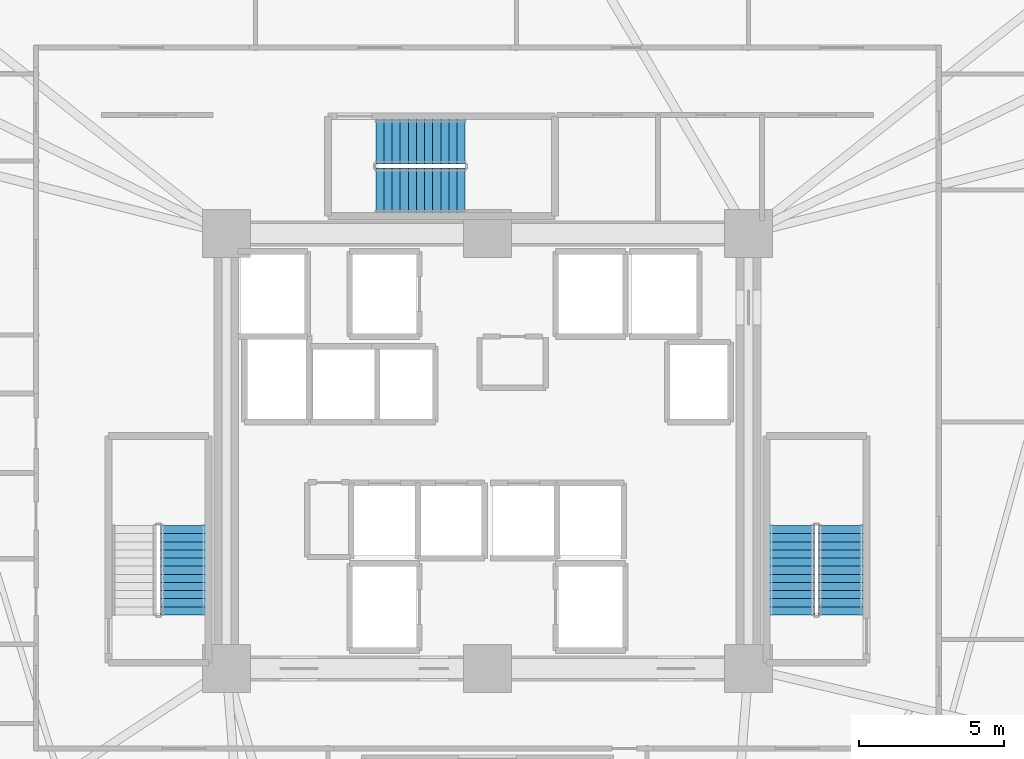
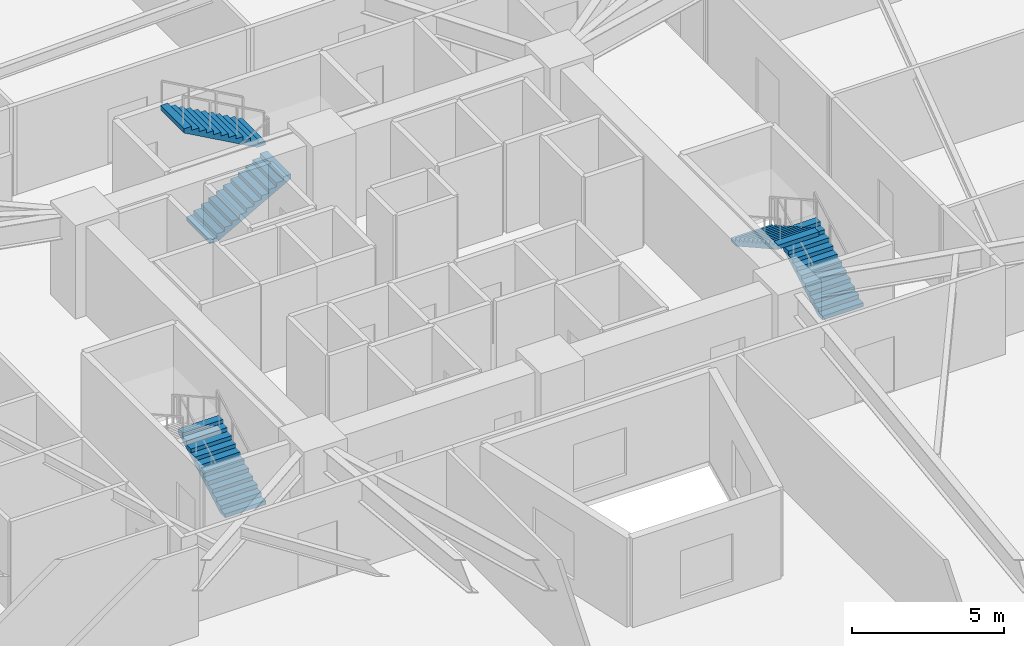
# One storey, part 8 of 11: 5 stair flights, 3 elements without a shape of their own.
"""IFC4 building model written with IfcOpenShell, lengths in metres."""

from ifc_helpers import new_model, si_unit, direction, frame, origin, place, context, subcontext, project, spatial, polyline, outline, extrude, material, type_object, element, aggregate, save


model = new_model("IFC4")

# Units and contexts
model_context = context("Model", 3, precision=1e-05, world=origin(), true_north=direction((0.0, 1.0)))
body_context = subcontext(model_context, "Body", "Model", "MODEL_VIEW")
ifc_project = project(units=[si_unit("LENGTHUNIT", "METRE"), si_unit("AREAUNIT", "SQUARE_METRE"), si_unit("VOLUMEUNIT", "CUBIC_METRE"), si_unit("PLANEANGLEUNIT", "RADIAN"), si_unit("MASSUNIT", "GRAM", prefix="KILO")], contexts=[model_context])

# Site, building, storey
site_placement = place(None, origin())
site = spatial("IfcSite", under=ifc_project, at=site_placement, CompositionType="ELEMENT")
building_placement = place(site_placement, origin())
building = spatial("IfcBuilding", under=site, at=building_placement, Name="Liaohun Quay Tower", CompositionType="ELEMENT")
storey_placement = place(building_placement, frame((0.0, 0.0, 51.75)))
storey = spatial("IfcBuildingStorey", under=building, at=storey_placement, Name="L13", CompositionType="ELEMENT", Elevation=51.75)

# Stair, stair flight
ifc_material = material(Name="Concrete C45", Category="concrete")
stair_type = type_object("IfcStairType", Name="STR-CORE-OFF", PredefinedType="HALF_TURN_STAIR", material=ifc_material)
stair_1_placement = place(storey_placement, origin())
stair_1 = element("IfcStair", 1, at=stair_1_placement, inside=storey, type_object=stair_type, Name="L13 Smokeproof Core Exit Stair ST-1", PredefinedType="HALF_TURN_STAIR")
stair_flight_type = type_object("IfcStairFlightType", Name="FLT-CORE-155", PredefinedType="STRAIGHT", material=ifc_material)
stair_flight_1_placement = place(storey_placement, frame((49.5048828125, 48.35009765625, 0.0), z_axis=(0.0, 0.0, 1.0), x_axis=(0.0, 1.0, 0.0)))
stair_flight_1 = element("IfcStairFlight", 2, at=stair_flight_1_placement, type_object=stair_flight_type, Name="ST-1 flight 1", NumberOfRisers=12, NumberOfTreads=11, PredefinedType="STRAIGHT", RiserHeight=0.15625, TreadLength=0.28, context=body_context, shape_type="SweptSolid", body=[
    extrude(outline(polyline([(0.0, 0.0), (0.0, 0.15625), (0.280029296875, 0.15625), (0.280029296875, 0.3125), (0.56005859375, 0.3125), (0.56005859375, 0.46875), (0.840087890625, 0.46875), (0.840087890625, 0.625), (1.1201171875, 0.625), (1.1201171875, 0.78125), (1.39990234375, 0.78125), (1.39990234375, 0.9375), (1.679931640625, 0.9375), (1.679931640625, 1.09375), (1.9599609375, 1.09375), (1.9599609375, 1.25), (2.239990234375, 1.25), (2.239990234375, 1.40625), (2.52001953125, 1.40625), (2.52001953125, 1.5625), (2.800048828125, 1.5625), (2.800048828125, 1.71875), (3.080078125, 1.71875), (3.080078125, 1.875), (3.080078125, 1.547119140625), (0.3076171875, 0.0), (0.0, 0.0)])), frame((0.0, 0.77490234375, 0.0), z_axis=(0.0, -1.0, 0.0), x_axis=(1.0, 0.0, 0.0)), (0.0, 0.0, 1.0), 1.550048828125),
])
aggregate(stair_1, [stair_flight_1])

# Stair, stair flights
stair_2_placement = place(storey_placement, origin())
stair_2 = element("IfcStair", 3, at=stair_2_placement, inside=storey, type_object=stair_type, Name="L13 Smokeproof Core Exit Stair ST-2", PredefinedType="HALF_TURN_STAIR")
stair_flight_2_placement = place(storey_placement, frame((72.18505859375, 48.35009765625, 0.0), z_axis=(0.0, 0.0, 1.0), x_axis=(0.0, 1.0, 0.0)))
stair_flight_2 = element("IfcStairFlight", 4, at=stair_flight_2_placement, type_object=stair_flight_type, Name="ST-2 flight 1", NumberOfRisers=12, NumberOfTreads=11, PredefinedType="STRAIGHT", RiserHeight=0.15625, TreadLength=0.28, context=body_context, shape_type="SweptSolid", body=[
    extrude(outline(polyline([(0.0, 0.0), (0.0, 0.15625), (0.280029296875, 0.15625), (0.280029296875, 0.3125), (0.56005859375, 0.3125), (0.56005859375, 0.46875), (0.840087890625, 0.46875), (0.840087890625, 0.625), (1.1201171875, 0.625), (1.1201171875, 0.78125), (1.39990234375, 0.78125), (1.39990234375, 0.9375), (1.679931640625, 0.9375), (1.679931640625, 1.09375), (1.9599609375, 1.09375), (1.9599609375, 1.25), (2.239990234375, 1.25), (2.239990234375, 1.40625), (2.52001953125, 1.40625), (2.52001953125, 1.5625), (2.800048828125, 1.5625), (2.800048828125, 1.71875), (3.080078125, 1.71875), (3.080078125, 1.875), (3.080078125, 1.547119140625), (0.3076171875, 0.0), (0.0, 0.0)])), frame((0.0, 0.77490234375, 0.0), z_axis=(0.0, -1.0, 0.0), x_axis=(1.0, 0.0, 0.0)), (0.0, 0.0, 1.0), 1.550048828125),
])
stair_flight_3_placement = place(storey_placement, frame((70.4951171875, 51.429931640625, 1.875), z_axis=(0.0, 0.0, 1.0), x_axis=(0.0, -1.0, 0.0)))
stair_flight_3 = element("IfcStairFlight", 5, at=stair_flight_3_placement, type_object=stair_flight_type, Name="ST-2 flight 2", NumberOfRisers=12, NumberOfTreads=11, PredefinedType="STRAIGHT", RiserHeight=0.15625, TreadLength=0.28, context=body_context, shape_type="SweptSolid", body=[
    extrude(outline(polyline([(0.0, 0.0), (0.0, 0.15625), (0.280029296875, 0.15625), (0.280029296875, 0.3125), (0.56005859375, 0.3125), (0.56005859375, 0.46875), (0.840087890625, 0.46875), (0.840087890625, 0.625), (1.1201171875, 0.625), (1.1201171875, 0.78125), (1.39990234375, 0.78125), (1.39990234375, 0.9375), (1.679931640625, 0.9375), (1.679931640625, 1.09375), (1.9599609375, 1.09375), (1.9599609375, 1.25), (2.239990234375, 1.25), (2.239990234375, 1.40625), (2.52001953125, 1.40625), (2.52001953125, 1.5625), (2.800048828125, 1.5625), (2.800048828125, 1.71875), (3.080078125, 1.71875), (3.080078125, 1.875), (3.080078125, 1.547119140625), (0.3076171875, 0.0), (0.0, 0.0)])), frame((0.0, 0.77490234375, 0.0), z_axis=(0.0, -1.0, 0.0), x_axis=(1.0, 0.0, 0.0)), (0.0, 0.0, 1.0), 1.550048828125),
])
aggregate(stair_2, [stair_flight_2, stair_flight_3])

stair_3_placement = place(storey_placement, origin())
stair_3 = element("IfcStair", 6, at=stair_3_placement, inside=storey, type_object=stair_type, Name="L13 Smokeproof Core Exit Stair ST-3", PredefinedType="HALF_TURN_STAIR")
stair_flight_4_placement = place(storey_placement, frame((56.14990234375, 62.97509765625, 0.0), z_axis=(0.0, 0.0, 1.0), x_axis=(1.0, 0.0, 0.0)))
stair_flight_4 = element("IfcStairFlight", 7, at=stair_flight_4_placement, type_object=stair_flight_type, Name="ST-3 flight 1", NumberOfRisers=12, NumberOfTreads=11, PredefinedType="STRAIGHT", RiserHeight=0.15625, TreadLength=0.28, context=body_context, shape_type="SweptSolid", body=[
    extrude(outline(polyline([(0.0, 0.0), (0.0, 0.15625), (0.280029296875, 0.15625), (0.280029296875, 0.3125), (0.56005859375, 0.3125), (0.56005859375, 0.46875), (0.840087890625, 0.46875), (0.840087890625, 0.625), (1.1201171875, 0.625), (1.1201171875, 0.78125), (1.39990234375, 0.78125), (1.39990234375, 0.9375), (1.679931640625, 0.9375), (1.679931640625, 1.09375), (1.9599609375, 1.09375), (1.9599609375, 1.25), (2.239990234375, 1.25), (2.239990234375, 1.40625), (2.52001953125, 1.40625), (2.52001953125, 1.5625), (2.800048828125, 1.5625), (2.800048828125, 1.71875), (3.080078125, 1.71875), (3.080078125, 1.875), (3.080078125, 1.547119140625), (0.3076171875, 0.0), (0.0, 0.0)])), frame((0.0, 0.77490234375, 0.0), z_axis=(0.0, -1.0, 0.0), x_axis=(1.0, 0.0, 0.0)), (0.0, 0.0, 1.0), 1.550048828125),
])
stair_flight_5_placement = place(storey_placement, frame((59.22998046875, 64.6650390625, 1.875), z_axis=(0.0, 0.0, 1.0), x_axis=(-1.0, 0.0, 0.0)))
stair_flight_5 = element("IfcStairFlight", 8, at=stair_flight_5_placement, type_object=stair_flight_type, Name="ST-3 flight 2", NumberOfRisers=12, NumberOfTreads=11, PredefinedType="STRAIGHT", RiserHeight=0.15625, TreadLength=0.28, context=body_context, shape_type="SweptSolid", body=[
    extrude(outline(polyline([(0.0, 0.0), (0.0, 0.15625), (0.280029296875, 0.15625), (0.280029296875, 0.3125), (0.56005859375, 0.3125), (0.56005859375, 0.46875), (0.840087890625, 0.46875), (0.840087890625, 0.625), (1.1201171875, 0.625), (1.1201171875, 0.78125), (1.39990234375, 0.78125), (1.39990234375, 0.9375), (1.679931640625, 0.9375), (1.679931640625, 1.09375), (1.9599609375, 1.09375), (1.9599609375, 1.25), (2.239990234375, 1.25), (2.239990234375, 1.40625), (2.52001953125, 1.40625), (2.52001953125, 1.5625), (2.800048828125, 1.5625), (2.800048828125, 1.71875), (3.080078125, 1.71875), (3.080078125, 1.875), (3.080078125, 1.547119140625), (0.3076171875, 0.0), (0.0, 0.0)])), frame((0.0, 0.77490234375, 0.0), z_axis=(0.0, -1.0, 0.0), x_axis=(1.0, 0.0, 0.0)), (0.0, 0.0, 1.0), 1.550048828125),
])
aggregate(stair_3, [stair_flight_4, stair_flight_5])

save(model, "model.ifc")
